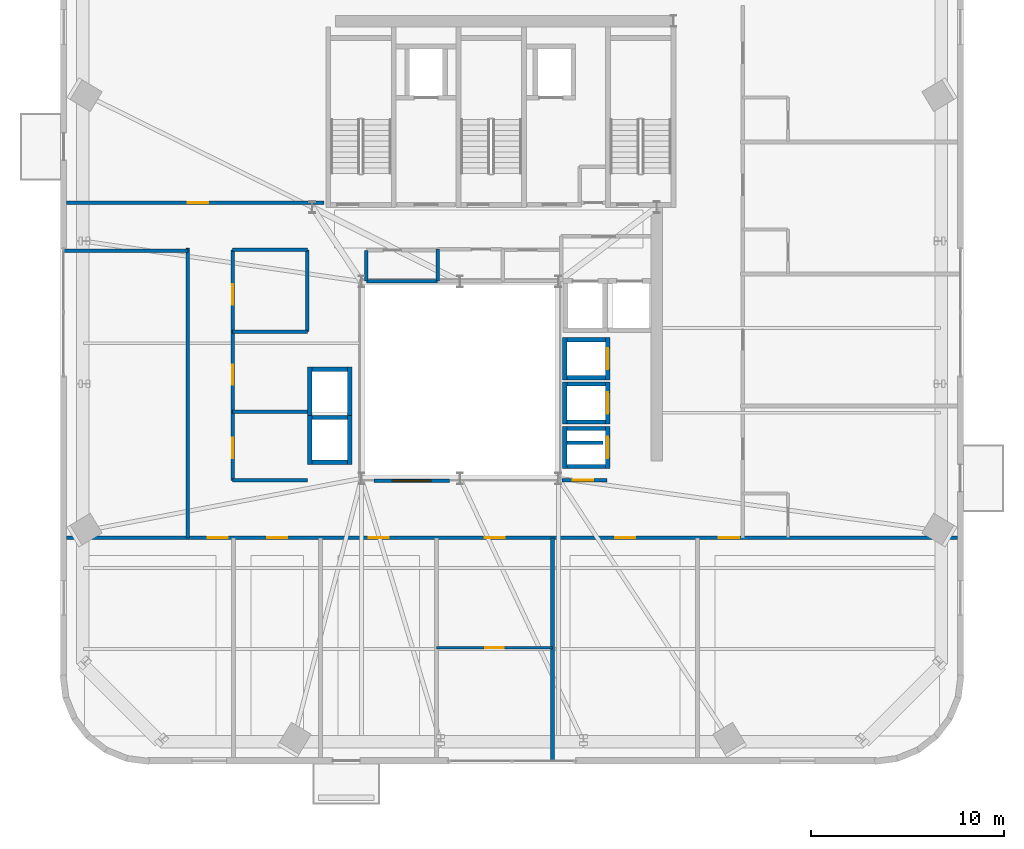
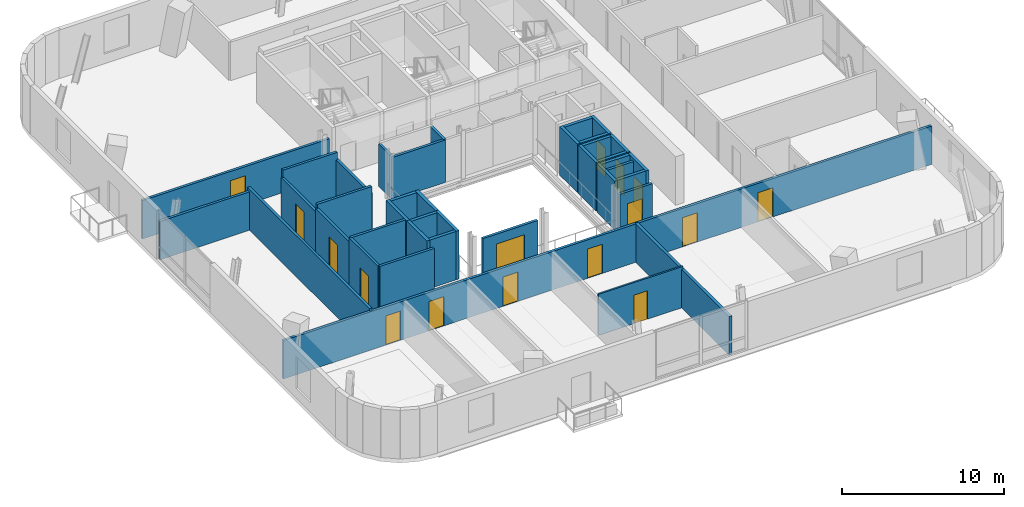
# One storey, part 7 of 12: 39 walls, 15 doors, 1 window, 16 openings.
"""IFC4 building model written with IfcOpenShell, lengths in metres."""

from ifc_helpers import new_model, si_unit, direction, frame, frame_2d, origin, place, context, subcontext, project, spatial, rectangle, extrude, source, transform, mapped, material, layer, layer_set, type_object, element, fill, save


model = new_model("IFC4")

# Units and contexts
model_context = context("Model", 3, precision=1e-05, world=origin(), true_north=direction((0.0, 1.0)))
body_context = subcontext(model_context, "Body", "Model", "MODEL_VIEW")
ifc_project = project(units=[si_unit("LENGTHUNIT", "METRE"), si_unit("AREAUNIT", "SQUARE_METRE"), si_unit("VOLUMEUNIT", "CUBIC_METRE"), si_unit("PLANEANGLEUNIT", "RADIAN"), si_unit("MASSUNIT", "GRAM", prefix="KILO")], contexts=[model_context])

# Site, building, storey
site_placement = place(None, origin())
site = spatial("IfcSite", under=ifc_project, at=site_placement, CompositionType="ELEMENT")
building_placement = place(site_placement, origin())
building = spatial("IfcBuilding", under=site, at=building_placement, Name="Vardaveli Station Tower", CompositionType="ELEMENT")
storey_placement = place(building_placement, frame((0.0, 0.0, 254.550048828125)))
storey = spatial("IfcBuildingStorey", under=building, at=storey_placement, Name="L65", CompositionType="ELEMENT", Elevation=254.550048828125)

# Walls
ifc_material_1 = material(Name="Concrete C40/50", Category="concrete")
ifc_layer_1 = layer(ifc_material_1, 0.219970703125, Name="Concrete C40/50")
ifc_layer_set_1 = layer_set([ifc_layer_1], Name="Concrete C40/50")
wall_type_1 = type_object("IfcWallType", Name="WAL-FFLOBBY-220", PredefinedType="SOLIDWALL", material=ifc_layer_set_1)
shared_shape_1 = source(origin(), body_context, "Body", "SweptSolid", [
    extrude(rectangle(XDim=2.0, YDim=0.219970703125, at=frame_2d((1.0, 0.0))), origin(), (0.0, 0.0, 1.0), 3.64990234375),
])
for number, where, z_axis, x_axis, name in (
    (1, (41.85009765625, 21.81494140625, 0.0), (0.0, 0.0, 1.0), (1.0, 0.0, 0.0), "SHW-HL3-01-L65-S"),
    (2, (41.85009765625, 23.784912109375, 0.0), (0.0, 0.0, 1.0), (1.0, 0.0, 0.0), "SHW-HL3-01-L65-N"),
    (3, (41.85009765625, 19.514892578125, 0.0), (0.0, 0.0, 1.0), (1.0, 0.0, 0.0), "SHW-HL3-02-L65-S"),
    (4, (41.85009765625, 21.485107421875, 0.0), (0.0, 0.0, 1.0), (1.0, 0.0, 0.0), "SHW-HL3-02-L65-N"),
    (5, (41.85009765625, 17.215087890625, 0.0), (0.0, 0.0, 1.0), (1.0, 0.0, 0.0), "SHW-HL3-03-L65-S"),
    (6, (41.85009765625, 19.18505859375, 0.0), (0.0, 0.0, 1.0), (1.0, 0.0, 0.0), "SHW-HL3-03-L65-N"),
):
    element("IfcWall", number, at=place(storey_placement, frame(where, z_axis=z_axis, x_axis=x_axis)), inside=storey, type_object=wall_type_1, Name=name, PredefinedType="SOLIDWALL", context=body_context, shape_type="MappedRepresentation", body=[
        mapped(shared_shape_1, transform((0.0, 0.0, 0.0), scale=1.0)),
    ])
shared_shape_2 = source(origin(), body_context, "Body", "SweptSolid", [
    extrude(rectangle(XDim=2.18994140625, YDim=0.219970703125, at=frame_2d((1.094970703125, 0.0))), origin(), (0.0, 0.0, 1.0), 3.64990234375),
])
wall_1_placement = place(storey_placement, frame((41.739990234375, 21.705078125, 0.0), z_axis=(0.0, 0.0, 1.0), x_axis=(0.0, 1.0, 0.0)))
element("IfcWall", 7, at=wall_1_placement, inside=storey, type_object=wall_type_1, Name="SHW-HL3-01-L65-W", PredefinedType="SOLIDWALL", context=body_context, shape_type="MappedRepresentation", body=[
    mapped(shared_shape_2, transform((0.0, 0.0, 0.0), scale=1.0)),
])

# Wall, opening, door
wall_2_placement = place(storey_placement, frame((43.9599609375, 21.705078125, 0.0), z_axis=(0.0, 0.0, 1.0), x_axis=(0.0, 1.0, 0.0)))
wall_2 = element("IfcWall", 8, at=wall_2_placement, inside=storey, type_object=wall_type_1, Name="SHW-HL3-01-L65-E", PredefinedType="SOLIDWALL", context=body_context, shape_type="MappedRepresentation", body=[
    mapped(shared_shape_2, transform((0.0, 0.0, 0.0), scale=1.0)),
])
shared_shape_3 = source(origin(), body_context, "Body", "SweptSolid", [
    extrude(rectangle(XDim=1.10009765625, YDim=2.199951171875, at=frame_2d((0.550048828125, 1.10009765625))), frame((0.0, 0.1201171875, 0.0), z_axis=(0.0, -1.0, 0.0), x_axis=(1.0, 0.0, 0.0)), (0.0, 0.0, 1.0), 0.239990234375),
])
opening_1_placement = place(wall_2_placement, frame((0.544921875, 0.0, 0.0)))
opening_1 = element("IfcOpeningElement", 9, at=opening_1_placement, cuts=wall_2, Name="Opening LD-01", PredefinedType="OPENING", context=body_context, shape_type="MappedRepresentation", body=[
    mapped(shared_shape_3, transform((0.0, 0.0, 0.0), scale=1.0)),
])
ifc_material_2 = material(Name="Brushed stainless steel", Category="steel")
door_type_1 = type_object("IfcDoorType", Name="DR-LD-1100x2200", OperationType="DOUBLE_DOOR_SLIDING", PredefinedType="DOOR", material=ifc_material_2)
shared_shape_4 = source(origin(), body_context, "Body", "SweptSolid", [
    extrude(rectangle(XDim=1.10009765625, YDim=2.199951171875, at=frame_2d((0.550048828125, 1.10009765625))), frame((0.0, 0.02490234375, 0.0), z_axis=(0.0, -1.0, 0.0), x_axis=(1.0, 0.0, 0.0)), (0.0, 0.0, 1.0), 0.050048828125),
])
door_1_placement = place(opening_1_placement, origin())
door_1 = element("IfcDoor", 10, at=door_1_placement, inside=storey, type_object=door_type_1, Name="LD-HL3-01-L65", OperationType="DOUBLE_DOOR_SLIDING", OverallHeight=2.199951171875, OverallWidth=1.10009765625, PredefinedType="DOOR", context=body_context, shape_type="MappedRepresentation", body=[
    mapped(shared_shape_4, transform((0.0, 0.0, 0.0), scale=1.0)),
])
fill(opening_1, door_1)

# Wall
wall_3_placement = place(storey_placement, frame((41.739990234375, 19.405029296875, 0.0), z_axis=(0.0, 0.0, 1.0), x_axis=(0.0, 1.0, 0.0)))
element("IfcWall", 11, at=wall_3_placement, inside=storey, type_object=wall_type_1, Name="SHW-HL3-02-L65-W", PredefinedType="SOLIDWALL", context=body_context, shape_type="MappedRepresentation", body=[
    mapped(shared_shape_2, transform((0.0, 0.0, 0.0), scale=1.0)),
])

# Wall, opening, door
wall_4_placement = place(storey_placement, frame((43.9599609375, 19.405029296875, 0.0), z_axis=(0.0, 0.0, 1.0), x_axis=(0.0, 1.0, 0.0)))
wall_4 = element("IfcWall", 12, at=wall_4_placement, inside=storey, type_object=wall_type_1, Name="SHW-HL3-02-L65-E", PredefinedType="SOLIDWALL", context=body_context, shape_type="MappedRepresentation", body=[
    mapped(shared_shape_2, transform((0.0, 0.0, 0.0), scale=1.0)),
])
opening_2_placement = place(wall_4_placement, frame((0.544921875, 0.0, 0.0)))
opening_2 = element("IfcOpeningElement", 13, at=opening_2_placement, cuts=wall_4, Name="Opening LD-01", PredefinedType="OPENING", context=body_context, shape_type="MappedRepresentation", body=[
    mapped(shared_shape_3, transform((0.0, 0.0, 0.0), scale=1.0)),
])
door_2_placement = place(opening_2_placement, origin())
door_2 = element("IfcDoor", 14, at=door_2_placement, inside=storey, type_object=door_type_1, Name="LD-HL3-02-L65", OperationType="DOUBLE_DOOR_SLIDING", OverallHeight=2.199951171875, OverallWidth=1.10009765625, PredefinedType="DOOR", context=body_context, shape_type="MappedRepresentation", body=[
    mapped(shared_shape_4, transform((0.0, 0.0, 0.0), scale=1.0)),
])
fill(opening_2, door_2)

# Wall
wall_5_placement = place(storey_placement, frame((41.739990234375, 17.10498046875, 0.0), z_axis=(0.0, 0.0, 1.0), x_axis=(0.0, 1.0, 0.0)))
element("IfcWall", 15, at=wall_5_placement, inside=storey, type_object=wall_type_1, Name="SHW-HL3-03-L65-W", PredefinedType="SOLIDWALL", context=body_context, shape_type="MappedRepresentation", body=[
    mapped(shared_shape_2, transform((0.0, 0.0, 0.0), scale=1.0)),
])

# Wall, opening, door
wall_6_placement = place(storey_placement, frame((43.9599609375, 17.10498046875, 0.0), z_axis=(0.0, 0.0, 1.0), x_axis=(0.0, 1.0, 0.0)))
wall_6 = element("IfcWall", 16, at=wall_6_placement, inside=storey, type_object=wall_type_1, Name="SHW-HL3-03-L65-E", PredefinedType="SOLIDWALL", context=body_context, shape_type="MappedRepresentation", body=[
    mapped(shared_shape_2, transform((0.0, 0.0, 0.0), scale=1.0)),
])
opening_3_placement = place(wall_6_placement, frame((0.544921875, 0.0, 0.0)))
opening_3 = element("IfcOpeningElement", 17, at=opening_3_placement, cuts=wall_6, Name="Opening LD-01", PredefinedType="OPENING", context=body_context, shape_type="MappedRepresentation", body=[
    mapped(shared_shape_3, transform((0.0, 0.0, 0.0), scale=1.0)),
])
door_3_placement = place(opening_3_placement, origin())
door_3 = element("IfcDoor", 18, at=door_3_placement, inside=storey, type_object=door_type_1, Name="LD-HL3-03-L65", OperationType="DOUBLE_DOOR_SLIDING", OverallHeight=2.199951171875, OverallWidth=1.10009765625, PredefinedType="DOOR", context=body_context, shape_type="MappedRepresentation", body=[
    mapped(shared_shape_4, transform((0.0, 0.0, 0.0), scale=1.0)),
])
fill(opening_3, door_3)

# Walls
shared_shape_5 = source(origin(), body_context, "Body", "SweptSolid", [
    extrude(rectangle(XDim=1.85009765625, YDim=0.219970703125, at=frame_2d((0.925048828125, 0.0))), origin(), (0.0, 0.0, 1.0), 3.64990234375),
])
for number, where, z_axis, x_axis, name in (
    (19, (28.625, 17.43994140625, 0.0), (0.0, 0.0, 1.0), (1.0, 0.0, 0.0), "SHW-OBS-01-L65-S"),
    (20, (28.625, 19.760009765625, 0.0), (0.0, 0.0, 1.0), (1.0, 0.0, 0.0), "SHW-OBS-01-L65-N"),
    (21, (28.625, 22.260009765625, 0.0), (0.0, 0.0, 1.0), (1.0, 0.0, 0.0), "SHW-OBS-02-L65-N"),
):
    element("IfcWall", number, at=place(storey_placement, frame(where, z_axis=z_axis, x_axis=x_axis)), inside=storey, type_object=wall_type_1, Name=name, PredefinedType="SOLIDWALL", context=body_context, shape_type="MappedRepresentation", body=[
        mapped(shared_shape_5, transform((0.0, 0.0, 0.0), scale=1.0)),
    ])
shared_shape_6 = source(origin(), body_context, "Body", "SweptSolid", [
    extrude(rectangle(XDim=2.5400390625, YDim=0.219970703125, at=frame_2d((1.27001953125, 0.0))), origin(), (0.0, 0.0, 1.0), 3.64990234375),
])
for number, where, z_axis, x_axis, name in (
    (22, (28.514892578125, 17.330078125, 0.0), (0.0, 0.0, 1.0), (0.0, 1.0, 0.0), "SHW-OBS-01-L65-W"),
    (23, (30.5849609375, 17.330078125, 0.0), (0.0, 0.0, 1.0), (0.0, 1.0, 0.0), "SHW-OBS-01-L65-E"),
    (24, (28.514892578125, 19.830078125, 0.0), (0.0, 0.0, 1.0), (0.0, 1.0, 0.0), "SHW-OBS-02-L65-W"),
    (25, (30.5849609375, 19.830078125, 0.0), (0.0, 0.0, 1.0), (0.0, 1.0, 0.0), "SHW-OBS-02-L65-E"),
):
    element("IfcWall", number, at=place(storey_placement, frame(where, z_axis=z_axis, x_axis=x_axis)), inside=storey, type_object=wall_type_1, Name=name, PredefinedType="SOLIDWALL", context=body_context, shape_type="MappedRepresentation", body=[
        mapped(shared_shape_6, transform((0.0, 0.0, 0.0), scale=1.0)),
    ])

# Wall, openings, doors
ifc_material_3 = material(Name="Fire-rated gypsum stud partition")
ifc_layer_2 = layer(ifc_material_3, 0.179931640625, Name="Fire-rated gypsum stud partition")
ifc_layer_set_2 = layer_set([ifc_layer_2], Name="Fire-rated gypsum stud partition")
wall_type_2 = type_object("IfcWallType", Name="WAL-CORR-180", PredefinedType="PARTITIONING", material=ifc_layer_set_2)
shared_shape_7 = source(origin(), body_context, "Body", "SweptSolid", [
    extrude(rectangle(XDim=46.15576171875, YDim=0.179931640625, at=frame_2d((23.077880859375, 0.0))), origin(), (0.0, 0.0, 1.0), 2.891845703125),
])
wall_7_placement = place(storey_placement, frame((15.922119140625, 13.510009765625, 0.0), z_axis=(0.0, 0.0, 1.0), x_axis=(1.0, 0.0, 0.0)))
wall_7 = element("IfcWall", 26, at=wall_7_placement, inside=storey, type_object=wall_type_2, Name="W-L65-CS", PredefinedType="PARTITIONING", context=body_context, shape_type="MappedRepresentation", body=[
    mapped(shared_shape_7, transform((0.0, 0.0, 0.0), scale=1.0)),
])
shared_shape_8 = source(origin(), body_context, "Body", "SweptSolid", [
    extrude(rectangle(XDim=1.050048828125, YDim=2.199951171875, at=frame_2d((0.52490234375, 1.10009765625))), frame((0.0, 0.10009765625, 0.0), z_axis=(0.0, -1.0, 0.0), x_axis=(1.0, 0.0, 0.0)), (0.0, 0.0, 1.0), 0.199951171875),
])
opening_4_placement = place(wall_7_placement, frame((7.298095703125, 0.0, 0.0)))
opening_4 = element("IfcOpeningElement", 27, at=opening_4_placement, cuts=wall_7, Name="Opening D-05", PredefinedType="OPENING", context=body_context, shape_type="MappedRepresentation", body=[
    mapped(shared_shape_8, transform((0.0, 0.0, 0.0), scale=1.0)),
])
opening_5_placement = place(wall_7_placement, frame((10.38427734375, 0.0, 0.0)))
opening_5 = element("IfcOpeningElement", 28, at=opening_5_placement, cuts=wall_7, Name="Opening D-05", PredefinedType="OPENING", context=body_context, shape_type="MappedRepresentation", body=[
    mapped(shared_shape_8, transform((0.0, 0.0, 0.0), scale=1.0)),
])
opening_6_placement = place(wall_7_placement, frame((15.646728515625, 0.0, 0.0)))
opening_6 = element("IfcOpeningElement", 29, at=opening_6_placement, cuts=wall_7, Name="Opening D-05", PredefinedType="OPENING", context=body_context, shape_type="MappedRepresentation", body=[
    mapped(shared_shape_8, transform((0.0, 0.0, 0.0), scale=1.0)),
])
opening_7_placement = place(wall_7_placement, frame((21.6591796875, 0.0, 0.0)))
opening_7 = element("IfcOpeningElement", 30, at=opening_7_placement, cuts=wall_7, Name="Opening D-05", PredefinedType="OPENING", context=body_context, shape_type="MappedRepresentation", body=[
    mapped(shared_shape_8, transform((0.0, 0.0, 0.0), scale=1.0)),
])
opening_8_placement = place(wall_7_placement, frame((28.421630859375, 0.0, 0.0)))
opening_8 = element("IfcOpeningElement", 31, at=opening_8_placement, cuts=wall_7, Name="Opening D-05", PredefinedType="OPENING", context=body_context, shape_type="MappedRepresentation", body=[
    mapped(shared_shape_8, transform((0.0, 0.0, 0.0), scale=1.0)),
])
opening_9_placement = place(wall_7_placement, frame((33.798095703125, 0.0, 0.0)))
opening_9 = element("IfcOpeningElement", 32, at=opening_9_placement, cuts=wall_7, Name="Opening D-05", PredefinedType="OPENING", context=body_context, shape_type="MappedRepresentation", body=[
    mapped(shared_shape_8, transform((0.0, 0.0, 0.0), scale=1.0)),
])
ifc_material_4 = material(Name="Walnut veneer acoustic fire door")
door_type_2 = type_object("IfcDoorType", Name="DR-SUITE-1050x2200", OperationType="NOTDEFINED", PredefinedType="DOOR", material=ifc_material_4)
shared_shape_9 = source(origin(), body_context, "Body", "SweptSolid", [
    extrude(rectangle(XDim=1.050048828125, YDim=2.199951171875, at=frame_2d((0.52490234375, 1.10009765625))), frame((0.0, 0.02490234375, 0.0), z_axis=(0.0, -1.0, 0.0), x_axis=(1.0, 0.0, 0.0)), (0.0, 0.0, 1.0), 0.050048828125),
])
door_4_placement = place(opening_4_placement, origin())
door_4 = element("IfcDoor", 33, at=door_4_placement, inside=storey, type_object=door_type_2, Name="D-L65-SA1", OperationType="SINGLE_SWING_LEFT", OverallHeight=2.199951171875, OverallWidth=1.050048828125, PredefinedType="DOOR", context=body_context, shape_type="MappedRepresentation", body=[
    mapped(shared_shape_9, transform((0.0, 0.0, 0.0), scale=1.0)),
])
fill(opening_4, door_4)
door_5_placement = place(opening_5_placement, origin())
door_5 = element("IfcDoor", 34, at=door_5_placement, inside=storey, type_object=door_type_2, Name="D-L65-SA2", OperationType="SINGLE_SWING_RIGHT", OverallHeight=2.199951171875, OverallWidth=1.050048828125, PredefinedType="DOOR", context=body_context, shape_type="MappedRepresentation", body=[
    mapped(shared_shape_9, transform((0.0, 0.0, 0.0), scale=1.0)),
])
fill(opening_5, door_5)
door_6_placement = place(opening_6_placement, origin())
door_6 = element("IfcDoor", 35, at=door_6_placement, inside=storey, type_object=door_type_2, Name="D-L65-SA3", OperationType="SINGLE_SWING_LEFT", OverallHeight=2.199951171875, OverallWidth=1.050048828125, PredefinedType="DOOR", context=body_context, shape_type="MappedRepresentation", body=[
    mapped(shared_shape_9, transform((0.0, 0.0, 0.0), scale=1.0)),
])
fill(opening_6, door_6)
door_7_placement = place(opening_7_placement, origin())
door_7 = element("IfcDoor", 36, at=door_7_placement, inside=storey, type_object=door_type_2, Name="D-L65-SCB4", OperationType="SINGLE_SWING_RIGHT", OverallHeight=2.199951171875, OverallWidth=1.050048828125, PredefinedType="DOOR", context=body_context, shape_type="MappedRepresentation", body=[
    mapped(shared_shape_9, transform((0.0, 0.0, 0.0), scale=1.0)),
])
fill(opening_7, door_7)
door_8_placement = place(opening_8_placement, origin())
door_8 = element("IfcDoor", 37, at=door_8_placement, inside=storey, type_object=door_type_2, Name="D-L65-SA5", OperationType="SINGLE_SWING_LEFT", OverallHeight=2.199951171875, OverallWidth=1.050048828125, PredefinedType="DOOR", context=body_context, shape_type="MappedRepresentation", body=[
    mapped(shared_shape_9, transform((0.0, 0.0, 0.0), scale=1.0)),
])
fill(opening_8, door_8)
door_9_placement = place(opening_9_placement, origin())
door_9 = element("IfcDoor", 38, at=door_9_placement, inside=storey, type_object=door_type_2, Name="D-L65-SA6", OperationType="SINGLE_SWING_RIGHT", OverallHeight=2.199951171875, OverallWidth=1.050048828125, PredefinedType="DOOR", context=body_context, shape_type="MappedRepresentation", body=[
    mapped(shared_shape_9, transform((0.0, 0.0, 0.0), scale=1.0)),
])
fill(opening_9, door_9)

# Wall, opening, door
shared_shape_10 = source(origin(), body_context, "Body", "SweptSolid", [
    extrude(rectangle(XDim=13.327880859375, YDim=0.179931640625, at=frame_2d((6.6640625, 0.0))), origin(), (0.0, 0.0, 1.0), 2.891845703125),
])
wall_8_placement = place(storey_placement, frame((15.922119140625, 30.8798828125, 0.0), z_axis=(0.0, 0.0, 1.0), x_axis=(1.0, 0.0, 0.0)))
wall_8 = element("IfcWall", 39, at=wall_8_placement, inside=storey, type_object=wall_type_2, Name="W-L65-CNWS", PredefinedType="PARTITIONING", context=body_context, shape_type="MappedRepresentation", body=[
    mapped(shared_shape_10, transform((0.0, 0.0, 0.0), scale=1.0)),
])
opening_10_placement = place(wall_8_placement, frame((6.278076171875, 0.0, 0.0)))
opening_10 = element("IfcOpeningElement", 40, at=opening_10_placement, cuts=wall_8, Name="Opening D-05", PredefinedType="OPENING", context=body_context, shape_type="MappedRepresentation", body=[
    mapped(shared_shape_8, transform((0.0, 0.0, 0.0), scale=1.0)),
])
door_10_placement = place(opening_10_placement, origin())
door_10 = element("IfcDoor", 41, at=door_10_placement, inside=storey, type_object=door_type_2, Name="D-L65-GNW1", OperationType="SINGLE_SWING_RIGHT", OverallHeight=2.199951171875, OverallWidth=1.050048828125, PredefinedType="DOOR", context=body_context, shape_type="MappedRepresentation", body=[
    mapped(shared_shape_9, transform((0.0, 0.0, 0.0), scale=1.0)),
])
fill(opening_10, door_10)

# Walls
ifc_material_5 = material(Name="Acoustic twin-stud gypsum partition")
ifc_layer_3 = layer(ifc_material_5, 0.199951171875, Name="Acoustic twin-stud gypsum partition")
ifc_layer_set_3 = layer_set([ifc_layer_3], Name="Acoustic twin-stud gypsum partition")
wall_type_3 = type_object("IfcWallType", Name="WAL-PARTY-200", PredefinedType="PARTITIONING", material=ifc_layer_set_3)
shared_shape_11 = source(origin(), body_context, "Body", "SweptSolid", [
    extrude(rectangle(XDim=11.580078125, YDim=0.199951171875, at=frame_2d((5.7900390625, 0.0))), origin(), (0.0, 0.0, 1.0), 2.891845703125),
])
wall_9_placement = place(storey_placement, frame((41.10791015625, 1.929931640625, 0.0), z_axis=(0.0, 0.0, 1.0), x_axis=(0.0, 1.0, 0.0)))
element("IfcWall", 42, at=wall_9_placement, inside=storey, type_object=wall_type_3, Name="W-L65-PS4", PredefinedType="PARTITIONING", context=body_context, shape_type="MappedRepresentation", body=[
    mapped(shared_shape_11, transform((0.0, 0.0, 0.0), scale=1.0)),
])
shared_shape_12 = source(origin(), body_context, "Body", "SweptSolid", [
    extrude(rectangle(XDim=6.469970703125, YDim=0.179931640625, at=frame_2d((3.23486328125, 0.0))), origin(), (0.0, 0.0, 1.0), 2.891845703125),
])
wall_10_placement = place(storey_placement, frame((15.72998046875, 28.39990234375, 0.0), z_axis=(0.0, 0.0, 1.0), x_axis=(1.0, 0.0, 0.0)))
element("IfcWall", 43, at=wall_10_placement, inside=storey, type_object=wall_type_2, Name="W-L65-CWN", PredefinedType="PARTITIONING", context=body_context, shape_type="MappedRepresentation", body=[
    mapped(shared_shape_12, transform((0.0, 0.0, 0.0), scale=1.0)),
])
shared_shape_13 = source(origin(), body_context, "Body", "SweptSolid", [
    extrude(rectangle(XDim=3.8798828125, YDim=0.179931640625, at=frame_2d((1.93994140625, 0.0))), origin(), (0.0, 0.0, 1.0), 3.64990234375),
])
for number, where, z_axis, x_axis, name in (
    (44, (24.52001953125, 16.5, 0.0), (0.0, 0.0, 1.0), (1.0, 0.0, 0.0), "W-L65-ATWA-S"),
    (45, (24.52001953125, 20.050048828125, 0.0), (0.0, 0.0, 1.0), (1.0, 0.0, 0.0), "W-L65-ATWA-N"),
    (46, (24.52001953125, 24.199951171875, 0.0), (0.0, 0.0, 1.0), (1.0, 0.0, 0.0), "W-L65-ATWB-N"),
    (47, (24.52001953125, 28.43994140625, 0.0), (0.0, 0.0, 1.0), (1.0, 0.0, 0.0), "W-L65-ATWC-N"),
):
    element("IfcWall", number, at=place(storey_placement, frame(where, z_axis=z_axis, x_axis=x_axis)), inside=storey, type_object=wall_type_2, Name=name, PredefinedType="PARTITIONING", context=body_context, shape_type="MappedRepresentation", body=[
        mapped(shared_shape_13, transform((0.0, 0.0, 0.0), scale=1.0)),
    ])
shared_shape_14 = source(origin(), body_context, "Body", "SweptSolid", [
    extrude(rectangle(XDim=1.85791015625, YDim=0.179931640625, at=frame_2d((0.928955078125, 0.0))), origin(), (0.0, 0.0, 1.0), 3.64990234375),
])
wall_11_placement = place(storey_placement, frame((41.85205078125, 18.449951171875, 0.0), z_axis=(0.0, 0.0, 1.0), x_axis=(1.0, 0.0, 0.0)))
element("IfcWall", 48, at=wall_11_placement, inside=storey, type_object=wall_type_2, Name="W-L65-ATE-N", PredefinedType="PARTITIONING", context=body_context, shape_type="MappedRepresentation", body=[
    mapped(shared_shape_14, transform((0.0, 0.0, 0.0), scale=1.0)),
])

# Wall, opening, door
ifc_material_6 = material(Name="Gypsum board stud partition")
ifc_layer_4 = layer(ifc_material_6, 0.125, Name="Gypsum board stud partition")
ifc_layer_set_4 = layer_set([ifc_layer_4], Name="Gypsum board stud partition")
wall_type_4 = type_object("IfcWallType", Name="WAL-INT-125", PredefinedType="PARTITIONING", material=ifc_layer_set_4)
shared_shape_15 = source(origin(), body_context, "Body", "SweptSolid", [
    extrude(rectangle(XDim=6.012939453125, YDim=0.125, at=frame_2d((3.00634765625, 0.0))), origin(), (0.0, 0.0, 1.0), 3.092041015625),
])
wall_12_placement = place(storey_placement, frame((35.094970703125, 7.830078125, 0.0), z_axis=(0.0, 0.0, 1.0), x_axis=(1.0, 0.0, 0.0)))
wall_12 = element("IfcWall", 49, at=wall_12_placement, inside=storey, type_object=wall_type_4, Name="W-L65-SCM4", PredefinedType="PARTITIONING", context=body_context, shape_type="MappedRepresentation", body=[
    mapped(shared_shape_15, transform((0.0, 0.0, 0.0), scale=1.0)),
])
shared_shape_16 = source(origin(), body_context, "Body", "SweptSolid", [
    extrude(rectangle(XDim=0.949951171875, YDim=2.14990234375, at=frame_2d((0.47509765625, 1.074951171875))), frame((0.0, 0.072509765625, 0.0), z_axis=(0.0, -1.0, 0.0), x_axis=(1.0, 0.0, 0.0)), (0.0, 0.0, 1.0), 0.14501953125),
])
opening_11_placement = place(wall_12_placement, frame((2.5263671875, 0.0, 0.0)))
opening_11 = element("IfcOpeningElement", 50, at=opening_11_placement, cuts=wall_12, Name="Opening D-11", PredefinedType="OPENING", context=body_context, shape_type="MappedRepresentation", body=[
    mapped(shared_shape_16, transform((0.0, 0.0, 0.0), scale=1.0)),
])
ifc_material_7 = material(Name="Oak veneer internal suite door")
door_type_3 = type_object("IfcDoorType", Name="DR-INT-950x2150", OperationType="NOTDEFINED", PredefinedType="DOOR", material=ifc_material_7)
shared_shape_17 = source(origin(), body_context, "Body", "SweptSolid", [
    extrude(rectangle(XDim=0.949951171875, YDim=2.14990234375, at=frame_2d((0.47509765625, 1.074951171875))), frame((0.0, 0.02490234375, 0.0), z_axis=(0.0, -1.0, 0.0), x_axis=(1.0, 0.0, 0.0)), (0.0, 0.0, 1.0), 0.050048828125),
])
door_11_placement = place(opening_11_placement, origin())
door_11 = element("IfcDoor", 51, at=door_11_placement, inside=storey, type_object=door_type_3, Name="D-L65-SCF4", OperationType="SINGLE_SWING_LEFT", OverallHeight=2.14990234375, OverallWidth=0.949951171875, PredefinedType="DOOR", context=body_context, shape_type="MappedRepresentation", body=[
    mapped(shared_shape_17, transform((0.0, 0.0, 0.0), scale=1.0)),
])
fill(opening_11, door_11)

shared_shape_18 = source(origin(), body_context, "Body", "SweptSolid", [
    extrude(rectangle(XDim=4.239990234375, YDim=0.179931640625, at=frame_2d((2.1201171875, 0.0))), origin(), (0.0, 0.0, 1.0), 3.092041015625),
])
wall_13_placement = place(storey_placement, frame((24.52001953125, 24.199951171875, 0.0), z_axis=(0.0, 0.0, 1.0), x_axis=(0.0, 1.0, 0.0)))
wall_13 = element("IfcWall", 52, at=wall_13_placement, inside=storey, type_object=wall_type_2, Name="W-L65-ATWC-W", PredefinedType="PARTITIONING", context=body_context, shape_type="MappedRepresentation", body=[
    mapped(shared_shape_18, transform((0.0, 0.0, 0.0), scale=1.0)),
])
opening_12_placement = place(wall_13_placement, frame((1.39990234375, 0.0, 0.0)))
opening_12 = element("IfcOpeningElement", 53, at=opening_12_placement, cuts=wall_13, Name="Opening D-05", PredefinedType="OPENING", context=body_context, shape_type="MappedRepresentation", body=[
    mapped(shared_shape_8, transform((0.0, 0.0, 0.0), scale=1.0)),
])
door_12_placement = place(opening_12_placement, origin())
door_12 = element("IfcDoor", 54, at=door_12_placement, inside=storey, type_object=door_type_2, Name="D-L65-ATW3", OperationType="SINGLE_SWING_LEFT", OverallHeight=2.199951171875, OverallWidth=1.050048828125, PredefinedType="DOOR", context=body_context, shape_type="MappedRepresentation", body=[
    mapped(shared_shape_9, transform((0.0, 0.0, 0.0), scale=1.0)),
])
fill(opening_12, door_12)

# Wall
wall_14_placement = place(storey_placement, frame((28.39990234375, 24.199951171875, 0.0), z_axis=(0.0, 0.0, 1.0), x_axis=(0.0, 1.0, 0.0)))
element("IfcWall", 55, at=wall_14_placement, inside=storey, type_object=wall_type_2, Name="W-L65-ATWC-E", PredefinedType="PARTITIONING", context=body_context, shape_type="MappedRepresentation", body=[
    mapped(shared_shape_18, transform((0.0, 0.0, 0.0), scale=1.0)),
])

# Wall, opening, door
shared_shape_19 = source(origin(), body_context, "Body", "SweptSolid", [
    extrude(rectangle(XDim=4.14990234375, YDim=0.179931640625, at=frame_2d((2.074951171875, 0.0))), origin(), (0.0, 0.0, 1.0), 3.342041015625),
])
wall_15_placement = place(storey_placement, frame((24.52001953125, 20.050048828125, 0.0), z_axis=(0.0, 0.0, 1.0), x_axis=(0.0, 1.0, 0.0)))
wall_15 = element("IfcWall", 56, at=wall_15_placement, inside=storey, type_object=wall_type_2, Name="W-L65-ATWB-W", PredefinedType="PARTITIONING", context=body_context, shape_type="MappedRepresentation", body=[
    mapped(shared_shape_19, transform((0.0, 0.0, 0.0), scale=1.0)),
])
opening_13_placement = place(wall_15_placement, frame((1.39990234375, 0.0, 0.0)))
opening_13 = element("IfcOpeningElement", 57, at=opening_13_placement, cuts=wall_15, Name="Opening D-05", PredefinedType="OPENING", context=body_context, shape_type="MappedRepresentation", body=[
    mapped(shared_shape_8, transform((0.0, 0.0, 0.0), scale=1.0)),
])
door_13_placement = place(opening_13_placement, origin())
door_13 = element("IfcDoor", 58, at=door_13_placement, inside=storey, type_object=door_type_2, Name="D-L65-ATW2", OperationType="SINGLE_SWING_RIGHT", OverallHeight=2.199951171875, OverallWidth=1.050048828125, PredefinedType="DOOR", context=body_context, shape_type="MappedRepresentation", body=[
    mapped(shared_shape_9, transform((0.0, 0.0, 0.0), scale=1.0)),
])
fill(opening_13, door_13)

shared_shape_20 = source(origin(), body_context, "Body", "SweptSolid", [
    extrude(rectangle(XDim=3.550048828125, YDim=0.179931640625, at=frame_2d((1.77490234375, 0.0))), origin(), (0.0, 0.0, 1.0), 3.64990234375),
])
wall_16_placement = place(storey_placement, frame((24.52001953125, 16.5, 0.0), z_axis=(0.0, 0.0, 1.0), x_axis=(0.0, 1.0, 0.0)))
wall_16 = element("IfcWall", 59, at=wall_16_placement, inside=storey, type_object=wall_type_2, Name="W-L65-ATWA-W", PredefinedType="PARTITIONING", context=body_context, shape_type="MappedRepresentation", body=[
    mapped(shared_shape_20, transform((0.0, 0.0, 0.0), scale=1.0)),
])
opening_14_placement = place(wall_16_placement, frame((1.14990234375, 0.0, 0.0)))
opening_14 = element("IfcOpeningElement", 60, at=opening_14_placement, cuts=wall_16, Name="Opening D-05", PredefinedType="OPENING", context=body_context, shape_type="MappedRepresentation", body=[
    mapped(shared_shape_8, transform((0.0, 0.0, 0.0), scale=1.0)),
])
door_14_placement = place(opening_14_placement, origin())
door_14 = element("IfcDoor", 61, at=door_14_placement, inside=storey, type_object=door_type_2, Name="D-L65-ATW1", OperationType="SINGLE_SWING_RIGHT", OverallHeight=2.199951171875, OverallWidth=1.050048828125, PredefinedType="DOOR", context=body_context, shape_type="MappedRepresentation", body=[
    mapped(shared_shape_9, transform((0.0, 0.0, 0.0), scale=1.0)),
])
fill(opening_14, door_14)

shared_shape_21 = source(origin(), body_context, "Body", "SweptSolid", [
    extrude(rectangle(XDim=2.329833984375, YDim=0.179931640625, at=frame_2d((1.1650390625, 0.0))), origin(), (0.0, 0.0, 1.0), 3.092041015625),
])
wall_17_placement = place(storey_placement, frame((41.60009765625, 16.5, 0.0), z_axis=(0.0, 0.0, 1.0), x_axis=(1.0, 0.0, 0.0)))
wall_17 = element("IfcWall", 62, at=wall_17_placement, inside=storey, type_object=wall_type_2, Name="W-L65-ATE-S", PredefinedType="PARTITIONING", context=body_context, shape_type="MappedRepresentation", body=[
    mapped(shared_shape_21, transform((0.0, 0.0, 0.0), scale=1.0)),
])
opening_15_placement = place(wall_17_placement, frame((0.550048828125, 0.0, 0.0)))
opening_15 = element("IfcOpeningElement", 63, at=opening_15_placement, cuts=wall_17, Name="Opening D-05", PredefinedType="OPENING", context=body_context, shape_type="MappedRepresentation", body=[
    mapped(shared_shape_8, transform((0.0, 0.0, 0.0), scale=1.0)),
])
door_15_placement = place(opening_15_placement, origin())
door_15 = element("IfcDoor", 64, at=door_15_placement, inside=storey, type_object=door_type_2, Name="D-L65-ATE1", OperationType="SINGLE_SWING_RIGHT", OverallHeight=2.199951171875, OverallWidth=1.050048828125, PredefinedType="DOOR", context=body_context, shape_type="MappedRepresentation", body=[
    mapped(shared_shape_9, transform((0.0, 0.0, 0.0), scale=1.0)),
])
fill(opening_15, door_15)

# Walls
shared_shape_22 = source(origin(), body_context, "Body", "SweptSolid", [
    extrude(rectangle(XDim=15.0400390625, YDim=0.179931640625, at=frame_2d((7.52001953125, 0.0))), origin(), (0.0, 0.0, 1.0), 3.092041015625),
])
wall_18_placement = place(storey_placement, frame((22.199951171875, 13.510009765625, 0.0), z_axis=(0.0, 0.0, 1.0), x_axis=(0.0, 1.0, 0.0)))
element("IfcWall", 65, at=wall_18_placement, inside=storey, type_object=wall_type_2, Name="W-L65-CW", PredefinedType="PARTITIONING", context=body_context, shape_type="MappedRepresentation", body=[
    mapped(shared_shape_22, transform((0.0, 0.0, 0.0), scale=1.0)),
])
shared_shape_23 = source(origin(), body_context, "Body", "SweptSolid", [
    extrude(rectangle(XDim=3.699951171875, YDim=0.179931640625, at=frame_2d((1.85009765625, 0.0))), origin(), (0.0, 0.0, 1.0), 3.19189453125),
])
wall_19_placement = place(storey_placement, frame((31.449951171875, 26.820068359375, 0.0), z_axis=(0.0, 0.0, 1.0), x_axis=(1.0, 0.0, 0.0)))
element("IfcWall", 66, at=wall_19_placement, inside=storey, type_object=wall_type_2, Name="W-L65-CS2A-S", PredefinedType="PARTITIONING", context=body_context, shape_type="MappedRepresentation", body=[
    mapped(shared_shape_23, transform((0.0, 0.0, 0.0), scale=1.0)),
])
shared_shape_24 = source(origin(), body_context, "Body", "SweptSolid", [
    extrude(rectangle(XDim=1.659912109375, YDim=0.179931640625, at=frame_2d((0.830078125, 0.0))), origin(), (0.0, 0.0, 1.0), 3.19189453125),
])
wall_20_placement = place(storey_placement, frame((35.14990234375, 26.820068359375, 0.0), z_axis=(0.0, 0.0, 1.0), x_axis=(0.0, 1.0, 0.0)))
element("IfcWall", 67, at=wall_20_placement, inside=storey, type_object=wall_type_2, Name="W-L65-HKP2-W", PredefinedType="PARTITIONING", context=body_context, shape_type="MappedRepresentation", body=[
    mapped(shared_shape_24, transform((0.0, 0.0, 0.0), scale=1.0)),
])
shared_shape_25 = source(origin(), body_context, "Body", "SweptSolid", [
    extrude(rectangle(XDim=1.599853515625, YDim=0.179931640625, at=frame_2d((0.7998046875, 0.0))), origin(), (0.0, 0.0, 1.0), 3.19189453125),
])
wall_21_placement = place(storey_placement, frame((31.449951171875, 26.820068359375, 0.0), z_axis=(0.0, 0.0, 1.0), x_axis=(0.0, 1.0, 0.0)))
element("IfcWall", 68, at=wall_21_placement, inside=storey, type_object=wall_type_2, Name="W-L65-CS2A-W", PredefinedType="PARTITIONING", context=body_context, shape_type="MappedRepresentation", body=[
    mapped(shared_shape_25, transform((0.0, 0.0, 0.0), scale=1.0)),
])

# Wall, opening, window
shared_shape_26 = source(origin(), body_context, "Body", "SweptSolid", [
    extrude(rectangle(XDim=3.89990234375, YDim=0.179931640625, at=frame_2d((1.949951171875, 0.0))), origin(), (0.0, 0.0, 1.0), 3.19189453125),
])
wall_22_placement = place(storey_placement, frame((31.85009765625, 16.47998046875, 0.0), z_axis=(0.0, 0.0, 1.0), x_axis=(1.0, 0.0, 0.0)))
wall_22 = element("IfcWall", 69, at=wall_22_placement, inside=storey, type_object=wall_type_2, Name="WAT-L65-S", PredefinedType="PARTITIONING", context=body_context, shape_type="MappedRepresentation", body=[
    mapped(shared_shape_26, transform((0.0, 0.0, 0.0), scale=1.0)),
])
shared_shape_27 = source(origin(), body_context, "Body", "SweptSolid", [
    extrude(rectangle(XDim=2.0, YDim=1.89990234375, at=frame_2d((1.0, 0.949951171875))), frame((0.0, 0.10009765625, 0.0), z_axis=(0.0, -1.0, 0.0), x_axis=(1.0, 0.0, 0.0)), (0.0, 0.0, 1.0), 0.199951171875),
])
opening_16_placement = place(wall_22_placement, frame((0.949951171875, 0.0, 0.550048828125)))
opening_16 = element("IfcOpeningElement", 70, at=opening_16_placement, cuts=wall_22, Name="Opening W-07", PredefinedType="OPENING", context=body_context, shape_type="MappedRepresentation", body=[
    mapped(shared_shape_27, transform((0.0, 0.0, 0.0), scale=1.0)),
])
ifc_material_8 = material(Name="Tempered EI 60 fire-rated glass", Category="glass")
window_type = type_object("IfcWindowType", Name="WIN-ATRIUM-2000x2400", PartitioningType="SINGLE_PANEL", PredefinedType="WINDOW", material=ifc_material_8)
shared_shape_28 = source(origin(), body_context, "Body", "SweptSolid", [
    extrude(rectangle(XDim=2.0, YDim=1.89990234375, at=frame_2d((1.0, 0.949951171875))), frame((0.0, 0.030029296875, 0.0), z_axis=(0.0, -1.0, 0.0), x_axis=(1.0, 0.0, 0.0)), (0.0, 0.0, 1.0), 0.06005859375),
])
window_placement = place(opening_16_placement, origin())
window = element("IfcWindow", 71, at=window_placement, inside=storey, type_object=window_type, Name="WNAT-L65-1", OverallHeight=1.89990234375, OverallWidth=2.0, PartitioningType="SINGLE_PANEL", PredefinedType="WINDOW", context=body_context, shape_type="MappedRepresentation", body=[
    mapped(shared_shape_28, transform((0.0, 0.0, 0.0), scale=1.0)),
])
fill(opening_16, window)

save(model, "model.ifc")
